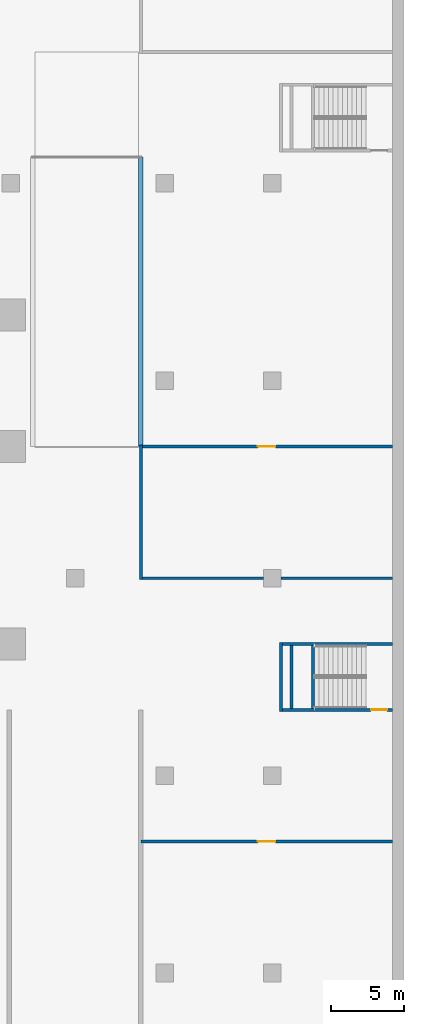
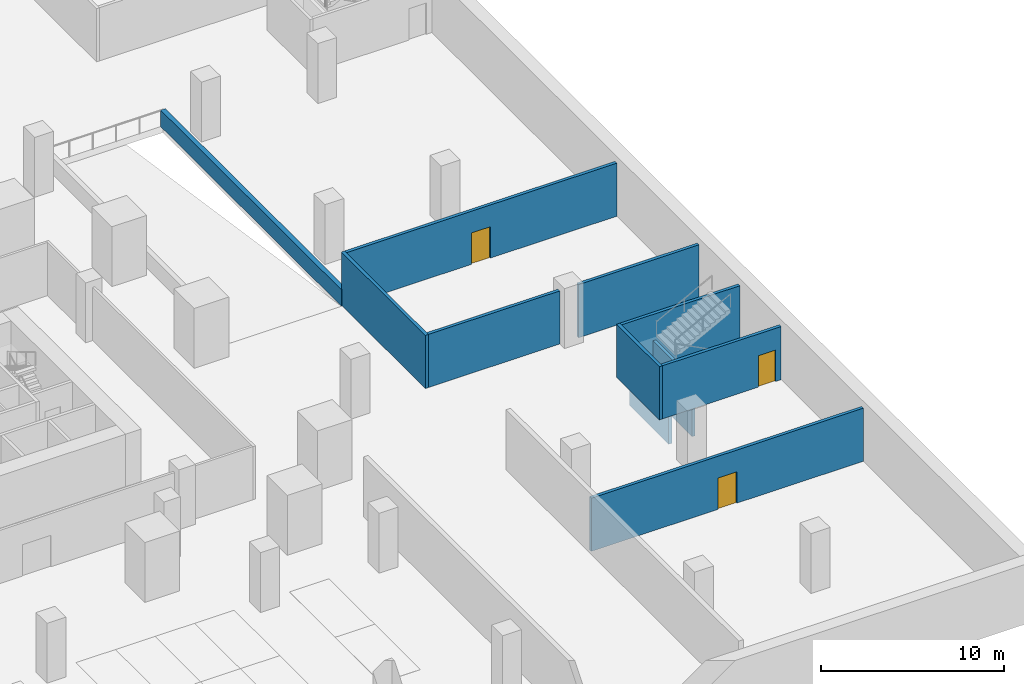
# One storey, part 12 of 31: 11 walls, 3 doors, 3 openings.
"""IFC4 building model written with IfcOpenShell, lengths in metres."""

import ifcopenshell
import ifcopenshell.guid

model = None  # the IFC model being written
_history = None  # IfcOwnerHistory: only IFC2X3 demands one
_inside = {}  # id of a spatial element -> (the spatial element, [elements in it])
_under = {}  # id of a project, library or spatial element -> (it, [spatial elements below it])
_declared = {}  # id of a project -> (the project, [libraries it declares])
_typed = {}  # id of a type object -> (the type object, [elements of that type])
_made_of = {}  # id of a material, layer set ... -> (it, [elements and type objects made of it])


def new_model(schema):
    """Start an empty IFC model of exactly this schema.

    Asked for "IFC4X3", IfcOpenShell would pick the latest addendum, in which some entities
    have other attributes; the version numbers below select the first issue.
    IFC2X3 requires an IfcOwnerHistory on every rooted entity: one is made here for all.
    """
    global model, _history
    if schema == "IFC4X3":
        model = ifcopenshell.file(schema_version=(4, 3, 0, 0))
    else:
        model = ifcopenshell.file(schema=schema)
    _inside.clear()
    _under.clear()
    _declared.clear()
    _typed.clear()
    _made_of.clear()
    _history = None
    if model.schema == "IFC2X3":
        org = make("IfcOrganization", Name="unknown")
        user = make(
            "IfcPersonAndOrganization",
            ThePerson=make("IfcPerson", FamilyName="unknown"),
            TheOrganization=org,
        )
        app = make(
            "IfcApplication",
            ApplicationDeveloper=org,
            Version="unknown",
            ApplicationFullName="unknown",
            ApplicationIdentifier="unknown",
        )
        _history = make(
            "IfcOwnerHistory",
            OwningUser=user,
            OwningApplication=app,
            ChangeAction="ADDED",
            CreationDate=0,
        )
    return model


def make(cls, **values):
    """One entity of the class cls with the attributes given. An attribute that is None is left unset."""
    return model.create_entity(
        cls, **{name: value for name, value in values.items() if value is not None}
    )


def rooted(cls, **values):
    """An entity with a GlobalId (a new one), such as an element, a storey or a relation."""
    return make(cls, GlobalId=ifcopenshell.guid.new(), OwnerHistory=_history, **values)


def si_unit(unit_type, name, prefix=None):
    """IfcSIUnit, for example si_unit("LENGTHUNIT", "METRE", prefix="MILLI")."""
    return make("IfcSIUnit", UnitType=unit_type, Prefix=prefix, Name=name)


def assignment(units):
    """IfcUnitAssignment: the units of a project."""
    return None if units is None else make("IfcUnitAssignment", Units=units)


def point(xyz):
    """IfcCartesianPoint."""
    return None if xyz is None else make("IfcCartesianPoint", Coordinates=xyz)


def direction(xyz):
    """IfcDirection."""
    return None if xyz is None else make("IfcDirection", DirectionRatios=xyz)


def frame(location, z_axis=None, x_axis=None):
    """IfcAxis2Placement3D, a coordinate frame: its origin and axes. An axis left out is left unset."""
    return make(
        "IfcAxis2Placement3D",
        Location=point(location),
        Axis=direction(z_axis),
        RefDirection=direction(x_axis),
    )


def frame_2d(location, x_axis=None):
    """IfcAxis2Placement2D, a coordinate frame in the plane: its origin and x axis."""
    return make(
        "IfcAxis2Placement2D", Location=point(location), RefDirection=direction(x_axis)
    )


def origin():
    """The frame at (0, 0, 0) with its axes left unset."""
    return frame((0.0, 0.0, 0.0))


def place(relative_to, where):
    """IfcLocalPlacement: puts the frame where relative to a parent placement (None: the world)."""
    return make(
        "IfcLocalPlacement", PlacementRelTo=relative_to, RelativePlacement=where
    )


def context(
    kind, dimensions, precision=None, world=None, true_north=None, identifier=None
):
    """IfcGeometricRepresentationContext, for example the 3D "Model" context."""
    return make(
        "IfcGeometricRepresentationContext",
        ContextIdentifier=identifier,
        ContextType=kind,
        CoordinateSpaceDimension=dimensions,
        Precision=precision,
        WorldCoordinateSystem=world,
        TrueNorth=true_north,
    )


def subcontext(parent, identifier, kind, view, scale=None):
    """IfcGeometricRepresentationSubContext, for example "Body" below "Model"."""
    return make(
        "IfcGeometricRepresentationSubContext",
        ContextIdentifier=identifier,
        ContextType=kind,
        ParentContext=parent,
        TargetScale=scale,
        TargetView=view,
    )


def project(units=None, contexts=None):
    """IfcProject with its units and contexts."""
    return rooted(
        "IfcProject",
        Name="project",
        RepresentationContexts=contexts,
        UnitsInContext=assignment(units),
    )


def spatial(cls, under=None, at=None, **own):
    """A site, building, storey or space (cls), placed at a placement, below another one or the project."""
    s = rooted(cls, ObjectPlacement=at, **own)
    if under is not None:
        _under.setdefault(under.id(), (under, []))[1].append(s)
    return s


def profile(cls, at=None, kind="AREA", **sizes):
    """A parametric profile (cls). Its sizes go by their IFC names, for example OverallWidth=200.0."""
    return make(cls, ProfileType=kind, Position=at, **sizes)


def rectangle(**sizes):
    """IfcRectangleProfileDef."""
    return profile("IfcRectangleProfileDef", **sizes)


def extrude(swept, where, along, depth):
    """IfcExtrudedAreaSolid: the profile swept, set in the frame where, extruded along a direction by depth."""
    return make(
        "IfcExtrudedAreaSolid",
        SweptArea=swept,
        Position=where,
        ExtrudedDirection=direction(along),
        Depth=depth,
    )


def shape(context_of_items, identifier, shape_type, items):
    """IfcShapeRepresentation: the items that make up one representation, for example the "Body"."""
    return make(
        "IfcShapeRepresentation",
        ContextOfItems=context_of_items,
        RepresentationIdentifier=identifier,
        RepresentationType=shape_type,
        Items=items,
    )


def material(Name=None, Category=None):
    """IfcMaterial."""
    return make("IfcMaterial", Name=Name, Category=Category)


def layer(
    of_material, thickness, ventilated=None, Name=None, Category=None, Priority=None
):
    """IfcMaterialLayer: one layer of a wall or slab, of a material (None: an air gap)."""
    return make(
        "IfcMaterialLayer",
        Material=of_material,
        LayerThickness=thickness,
        IsVentilated=ventilated,
        Name=Name,
        Category=Category,
        Priority=Priority,
    )


def layer_set(layers, Name=None):
    """IfcMaterialLayerSet."""
    return make("IfcMaterialLayerSet", MaterialLayers=layers, LayerSetName=Name)


def made_of(thing, what):
    """Note that an element or type object is made of a material, layer set ...; save() writes the relation."""
    if what is not None:
        _made_of.setdefault(what.id(), (what, []))[1].append(thing)
    return thing


def type_object(cls, material=None, **own):
    """A type object (cls), such as IfcWallType, which elements share."""
    return made_of(rooted(cls, **own), material)


def element(
    cls,
    number,
    at=None,
    inside=None,
    cuts=None,
    type_object=None,
    material=None,
    context=None,
    identifier="Body",
    shape_type=None,
    held_by="IfcProductDefinitionShape",
    body=None,
    shapes=None,
    **own,
):
    """One element of the class cls, such as IfcWall. Its Tag is "e" and its number.

    at: its placement. inside: the storey or other place that contains it. cuts: it is an
    opening in that element (IfcRelVoidsElement). A single representation is given by context,
    identifier, shape_type and body (its items); several are given by shapes. held_by: the class
    of the entity that holds the representations. save() writes the other relations.
    """
    e = rooted(cls, Tag="e%d" % number, ObjectPlacement=at, **own)
    if body is not None:
        shapes = [shape(context, identifier, shape_type, body)]
    if shapes is not None:
        e.Representation = make(held_by, Representations=shapes)
    if inside is not None:
        _inside.setdefault(inside.id(), (inside, []))[1].append(e)
    if cuts is not None:
        rooted(
            "IfcRelVoidsElement", RelatingBuildingElement=cuts, RelatedOpeningElement=e
        )
    if type_object is not None:
        _typed.setdefault(type_object.id(), (type_object, []))[1].append(e)
    return made_of(e, material)


def fill(opening, filler):
    """IfcRelFillsElement: the door or window that sits in an opening."""
    return rooted(
        "IfcRelFillsElement",
        RelatingOpeningElement=opening,
        RelatedBuildingElement=filler,
    )


def aggregate(whole, parts):
    """IfcRelAggregates: a whole, such as a stair, and the parts it consists of."""
    return rooted("IfcRelAggregates", RelatingObject=whole, RelatedObjects=parts)


def save(model, path):
    """Write the relations noted so far, then the file.

    IfcRelAggregates (storeys below a building ...), IfcRelContainedInSpatialStructure (elements
    in a storey), IfcRelDefinesByType, IfcRelAssociatesMaterial and IfcRelDeclares: one each for
    every whole, place, type object, material and project.
    """
    for whole, parts in _under.values():
        aggregate(whole, parts)
    for where, things in _inside.values():
        rooted(
            "IfcRelContainedInSpatialStructure",
            RelatedElements=things,
            RelatingStructure=where,
        )
    for kind, things in _typed.values():
        rooted("IfcRelDefinesByType", RelatedObjects=things, RelatingType=kind)
    for what, things in _made_of.values():
        rooted("IfcRelAssociatesMaterial", RelatedObjects=things, RelatingMaterial=what)
    for by, libraries in _declared.values():
        rooted("IfcRelDeclares", RelatingContext=by, RelatedDefinitions=libraries)
    model.write(path)


model = new_model("IFC4")

# Units and contexts
model_context = context("Model", 3, precision=1e-05, world=origin(), true_north=direction((0.0, 1.0)))
body_context = subcontext(model_context, "Body", "Model", "MODEL_VIEW")
ifc_project = project(units=[si_unit("LENGTHUNIT", "METRE"), si_unit("AREAUNIT", "SQUARE_METRE"), si_unit("VOLUMEUNIT", "CUBIC_METRE"), si_unit("PLANEANGLEUNIT", "RADIAN"), si_unit("MASSUNIT", "GRAM", prefix="KILO")], contexts=[model_context])

# Site, building, storey
site_placement = place(None, origin())
site = spatial("IfcSite", under=ifc_project, at=site_placement, CompositionType="ELEMENT")
building_placement = place(site_placement, origin())
building = spatial("IfcBuilding", under=site, at=building_placement, Name="Altepetl Exchange Towers", CompositionType="ELEMENT")
storey_placement = place(building_placement, frame((0.0, 0.0, -4.0)))
storey = spatial("IfcBuildingStorey", under=building, at=storey_placement, Name="B1 Basement services", CompositionType="ELEMENT", Elevation=-4.0)

# Walls
ifc_material_1 = material(Name="Reinforced concrete C35/45", Category="concrete")
ifc_layer_1 = layer(ifc_material_1, 0.199951171875)
ifc_layer_set_1 = layer_set([ifc_layer_1], Name="Reinforced concrete C35/45")
wall_type_1 = type_object("IfcWallType", Name="Landing support wall 200", PredefinedType="SOLIDWALL", material=ifc_layer_set_1)
for number, where, z_axis, x_axis, name in (
    (1, (146.780029296875, 27.10009765625, -2.0), (0.0, 0.0, 1.0), (0.0, 1.0, 0.0), "wall:P:B1:ES7sup0"),
    (2, (145.300048828125, 27.10009765625, -2.0), (0.0, 0.0, 1.0), (0.0, 1.0, 0.0), "wall:P:B1:ES7sup1"),
):
    element("IfcWall", number, at=place(storey_placement, frame(where, z_axis=z_axis, x_axis=x_axis)), inside=storey, type_object=wall_type_1, Name=name, PredefinedType="SOLIDWALL", context=body_context, shape_type="SweptSolid", body=[
        extrude(rectangle(XDim=4.2998046875, YDim=0.199951171875, at=frame_2d((2.14990234375, 0.0))), origin(), (0.0, 0.0, 1.0), 3.800048828125),
    ])

# Wall, opening, door
ifc_material_2 = material(Name="Concrete block masonry", Category="masonry")
ifc_layer_2 = layer(ifc_material_2, 0.199951171875)
ifc_layer_set_2 = layer_set([ifc_layer_2], Name="Concrete block masonry")
wall_type_2 = type_object("IfcWallType", Name="Podium fire wall 200", PredefinedType="SOLIDWALL", material=ifc_layer_set_2)
wall_1_placement = place(storey_placement, frame((135.0, 18.0, 0.0)))
wall_1 = element("IfcWall", 3, at=wall_1_placement, inside=storey, type_object=wall_type_2, Name="wall:P:B1:P019", PredefinedType="SOLIDWALL", context=body_context, shape_type="SweptSolid", body=[
    extrude(rectangle(XDim=17.199951171875, YDim=0.199951171875, at=frame_2d((8.60009765625, 0.0))), origin(), (0.0, 0.0, 1.0), 3.550048828125),
])
opening_1_placement = place(wall_1_placement, frame((8.0, 0.0, 0.0)))
opening_1 = element("IfcOpeningElement", 4, at=opening_1_placement, cuts=wall_1, Name="Opening B1.P007", PredefinedType="OPENING", context=body_context, shape_type="SweptSolid", body=[
    extrude(rectangle(XDim=1.199951171875, YDim=2.10009765625, at=frame_2d((0.60009765625, 1.050048828125))), frame((0.0, 0.10986328125, 0.0), z_axis=(0.0, -1.0, 0.0), x_axis=(1.0, 0.0, 0.0)), (0.0, 0.0, 1.0), 0.219970703125),
])
ifc_material_3 = material(Name="Steel fire door", Category="steel")
door_type_1 = type_object("IfcDoorType", Name="Podium fire door 1200 x 2100 double leaf", OperationType="DOUBLE_DOOR_SINGLE_SWING", PredefinedType="DOOR", material=ifc_material_3)
door_1_placement = place(opening_1_placement, frame((1.199951171875, 0.0, 0.0), x_axis=(-1.0, 0.0, 0.0)))
door_1 = element("IfcDoor", 5, at=door_1_placement, inside=storey, type_object=door_type_1, Name="door:P:B1:007", OperationType="DOUBLE_DOOR_SINGLE_SWING", OverallHeight=2.10009765625, OverallWidth=1.199951171875, PredefinedType="DOOR", context=body_context, shape_type="SweptSolid", body=[
    extrude(rectangle(XDim=1.199951171875, YDim=2.10009765625, at=frame_2d((0.60009765625, 1.050048828125))), frame((0.0, 0.02490234375, 0.0), z_axis=(0.0, -1.0, 0.0), x_axis=(1.0, 0.0, 0.0)), (0.0, 0.0, 1.0), 0.050048828125),
])
fill(opening_1, door_1)

# Walls
wall_2_placement = place(storey_placement, frame((135.0, 35.89990234375, 0.0), z_axis=(0.0, 0.0, 1.0), x_axis=(0.0, 1.0, 0.0)))
element("IfcWall", 6, at=wall_2_placement, inside=storey, type_object=wall_type_2, Name="wall:P:B1:P020", PredefinedType="SOLIDWALL", context=body_context, shape_type="SweptSolid", body=[
    extrude(rectangle(XDim=9.2001953125, YDim=0.199951171875, at=frame_2d((4.60009765625, 0.0))), origin(), (0.0, 0.0, 1.0), 3.550048828125),
])
wall_3_placement = place(storey_placement, frame((135.10009765625, 36.0, 0.0)))
element("IfcWall", 7, at=wall_3_placement, inside=storey, type_object=wall_type_2, Name="wall:P:B1:P021", PredefinedType="SOLIDWALL", context=body_context, shape_type="SweptSolid", body=[
    extrude(rectangle(XDim=8.304931640625, YDim=0.199951171875, at=frame_2d((4.15234375, 0.0))), origin(), (0.0, 0.0, 1.0), 3.550048828125),
])
wall_4_placement = place(storey_placement, frame((144.594970703125, 36.0, 0.0)))
element("IfcWall", 8, at=wall_4_placement, inside=storey, type_object=wall_type_2, Name="wall:P:B1:P022", PredefinedType="SOLIDWALL", context=body_context, shape_type="SweptSolid", body=[
    extrude(rectangle(XDim=7.60498046875, YDim=0.199951171875, at=frame_2d((3.802490234375, 0.0))), origin(), (0.0, 0.0, 1.0), 3.550048828125),
])

# Wall, opening, door
wall_5_placement = place(storey_placement, frame((135.10009765625, 45.0, 0.0)))
wall_5 = element("IfcWall", 9, at=wall_5_placement, inside=storey, type_object=wall_type_2, Name="wall:P:B1:P023", PredefinedType="SOLIDWALL", context=body_context, shape_type="SweptSolid", body=[
    extrude(rectangle(XDim=17.099853515625, YDim=0.199951171875, at=frame_2d((8.5498046875, 0.0))), origin(), (0.0, 0.0, 1.0), 3.550048828125),
])
opening_2_placement = place(wall_5_placement, frame((7.89990234375, 0.0, 0.0)))
opening_2 = element("IfcOpeningElement", 10, at=opening_2_placement, cuts=wall_5, Name="Opening B1.P008", PredefinedType="OPENING", context=body_context, shape_type="SweptSolid", body=[
    extrude(rectangle(XDim=1.199951171875, YDim=2.10009765625, at=frame_2d((0.60009765625, 1.050048828125))), frame((0.0, 0.10986328125, 0.0), z_axis=(0.0, -1.0, 0.0), x_axis=(1.0, 0.0, 0.0)), (0.0, 0.0, 1.0), 0.219970703125),
])
door_2_placement = place(opening_2_placement, frame((1.199951171875, 0.0, 0.0), x_axis=(-1.0, 0.0, 0.0)))
door_2 = element("IfcDoor", 11, at=door_2_placement, inside=storey, type_object=door_type_1, Name="door:P:B1:008", OperationType="DOUBLE_DOOR_SINGLE_SWING", OverallHeight=2.10009765625, OverallWidth=1.199951171875, PredefinedType="DOOR", context=body_context, shape_type="SweptSolid", body=[
    extrude(rectangle(XDim=1.199951171875, YDim=2.10009765625, at=frame_2d((0.60009765625, 1.050048828125))), frame((0.0, 0.02490234375, 0.0), z_axis=(0.0, -1.0, 0.0), x_axis=(1.0, 0.0, 0.0)), (0.0, 0.0, 1.0), 0.050048828125),
])
fill(opening_2, door_2)

# Walls
ifc_layer_3 = layer(ifc_material_1, 0.300048828125)
ifc_layer_set_3 = layer_set([ifc_layer_3], Name="Reinforced concrete C35/45")
wall_type_3 = type_object("IfcWallType", Name="Ramp retaining wall 300", PredefinedType="SOLIDWALL", material=ifc_layer_set_3)
wall_6_placement = place(storey_placement, frame((135.0, 45.0, 0.0), z_axis=(0.0, 0.0, 1.0), x_axis=(0.0, 1.0, 0.0)))
element("IfcWall", 12, at=wall_6_placement, inside=storey, type_object=wall_type_3, Name="wall:P:B1:rampR2E", PredefinedType="SOLIDWALL", context=body_context, shape_type="SweptSolid", body=[
    extrude(rectangle(XDim=19.800048828125, YDim=0.300048828125, at=frame_2d((9.89990234375, 0.0))), origin(), (0.0, 0.0, 1.0), 1.10009765625),
])
ifc_layer_4 = layer(ifc_material_1, 0.199951171875)
ifc_layer_set_4 = layer_set([ifc_layer_4], Name="Reinforced concrete C35/45")
wall_type_4 = type_object("IfcWallType", Name="Stair enclosure wall 200", PredefinedType="SOLIDWALL", material=ifc_layer_set_4)
wall_7_placement = place(storey_placement, frame((144.60009765625, 26.89990234375, 0.0), z_axis=(0.0, 0.0, 1.0), x_axis=(0.0, 1.0, 0.0)))
element("IfcWall", 13, at=wall_7_placement, inside=storey, type_object=wall_type_4, Name="wall:P:B1:P076", PredefinedType="SOLIDWALL", context=body_context, shape_type="SweptSolid", body=[
    extrude(rectangle(XDim=4.7001953125, YDim=0.199951171875, at=frame_2d((2.35009765625, 0.0))), origin(), (0.0, 0.0, 1.0), 3.550048828125),
])

# Wall, opening, door
wall_8_placement = place(storey_placement, frame((144.699951171875, 27.0, 0.0)))
wall_8 = element("IfcWall", 14, at=wall_8_placement, inside=storey, type_object=wall_type_4, Name="wall:P:B1:P077", PredefinedType="SOLIDWALL", context=body_context, shape_type="SweptSolid", body=[
    extrude(rectangle(XDim=7.5, YDim=0.199951171875, at=frame_2d((3.75, 0.0))), origin(), (0.0, 0.0, 1.0), 3.550048828125),
])
opening_3_placement = place(wall_8_placement, frame((6.050048828125, 0.0, 0.0)))
opening_3 = element("IfcOpeningElement", 15, at=opening_3_placement, cuts=wall_8, Name="Opening B1.P019", PredefinedType="OPENING", context=body_context, shape_type="SweptSolid", body=[
    extrude(rectangle(XDim=1.10009765625, YDim=2.10009765625, at=frame_2d((0.550048828125, 1.050048828125))), frame((0.0, 0.10986328125, 0.0), z_axis=(0.0, -1.0, 0.0), x_axis=(1.0, 0.0, 0.0)), (0.0, 0.0, 1.0), 0.219970703125),
])
door_type_2 = type_object("IfcDoorType", Name="Podium fire door 1100 x 2100 single leaf", OperationType="SINGLE_SWING_LEFT", PredefinedType="DOOR", material=ifc_material_3)
door_3_placement = place(opening_3_placement, origin())
door_3 = element("IfcDoor", 16, at=door_3_placement, inside=storey, type_object=door_type_2, Name="door:P:B1:019", OperationType="SINGLE_SWING_RIGHT", OverallHeight=2.10009765625, OverallWidth=1.10009765625, PredefinedType="DOOR", context=body_context, shape_type="SweptSolid", body=[
    extrude(rectangle(XDim=1.10009765625, YDim=2.10009765625, at=frame_2d((0.550048828125, 1.050048828125))), frame((0.0, 0.02490234375, 0.0), z_axis=(0.0, -1.0, 0.0), x_axis=(1.0, 0.0, 0.0)), (0.0, 0.0, 1.0), 0.050048828125),
])
fill(opening_3, door_3)

# Wall
wall_9_placement = place(storey_placement, frame((144.699951171875, 31.5, 0.0)))
element("IfcWall", 17, at=wall_9_placement, inside=storey, type_object=wall_type_4, Name="wall:P:B1:P078", PredefinedType="SOLIDWALL", context=body_context, shape_type="SweptSolid", body=[
    extrude(rectangle(XDim=7.5, YDim=0.199951171875, at=frame_2d((3.75, 0.0))), origin(), (0.0, 0.0, 1.0), 3.550048828125),
])

save(model, "model.ifc")
